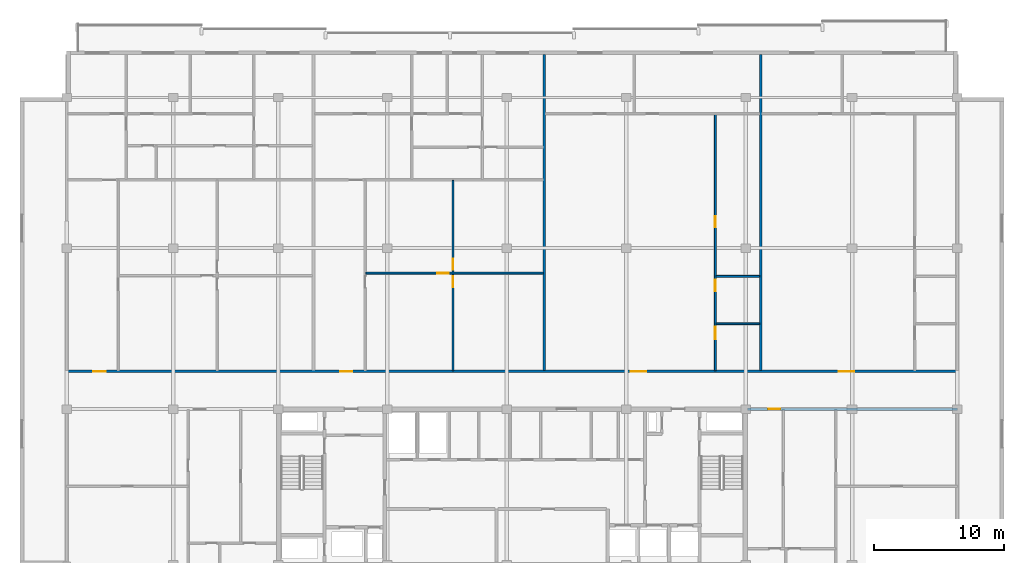
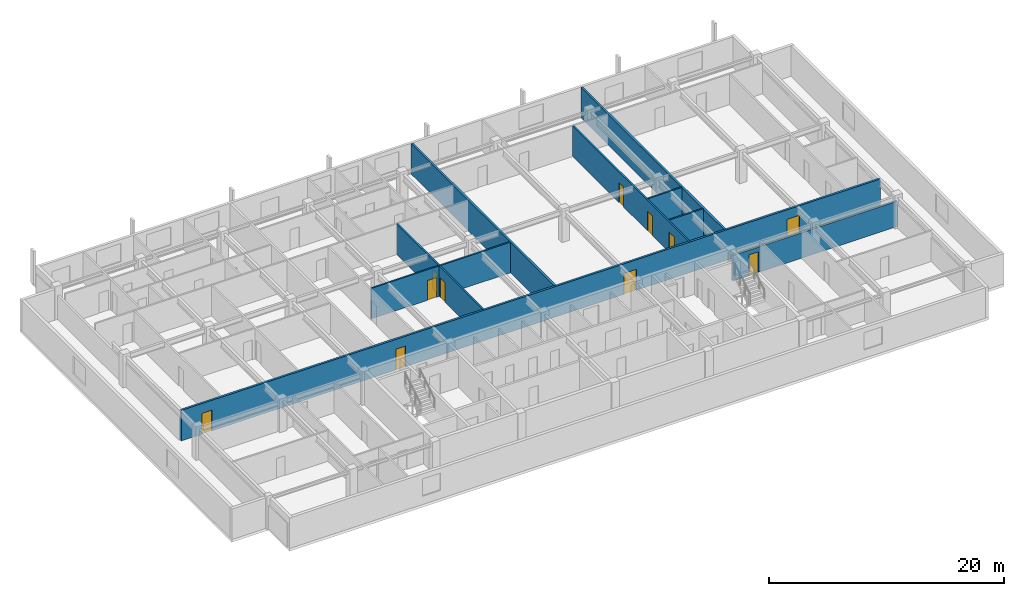
# One storey, part 6 of 11: 11 doors, 9 walls, 11 openings.
"""IFC4 building model written with IfcOpenShell, lengths in metres."""

from ifc_helpers import new_model, si_unit, direction, frame, frame_2d, origin, place, context, subcontext, project, spatial, rectangle, extrude, material, layer, layer_set, type_object, element, fill, save


model = new_model("IFC4")

# Units and contexts
model_context = context("Model", 3, precision=1e-05, world=origin(), true_north=direction((0.0, 1.0)))
body_context = subcontext(model_context, "Body", "Model", "MODEL_VIEW")
ifc_project = project(units=[si_unit("LENGTHUNIT", "METRE"), si_unit("AREAUNIT", "SQUARE_METRE"), si_unit("VOLUMEUNIT", "CUBIC_METRE"), si_unit("PLANEANGLEUNIT", "RADIAN"), si_unit("MASSUNIT", "GRAM", prefix="KILO")], contexts=[model_context])

# Site, building, storey
site_placement = place(None, origin())
site = spatial("IfcSite", under=ifc_project, at=site_placement, CompositionType="ELEMENT")
building_placement = place(site_placement, origin())
building = spatial("IfcBuilding", under=site, at=building_placement, Name="Korimba Cascade Residences", CompositionType="ELEMENT")
storey_placement = place(building_placement, frame((0.0, 0.0, 252.800048828125)))
storey = spatial("IfcBuildingStorey", under=building, at=storey_placement, Name="L73", CompositionType="ELEMENT", Elevation=252.800048828125)

# Wall, opening, door
ifc_material_1 = material(Name="Precast concrete C40/50", Category="concrete")
ifc_layer_1 = layer(ifc_material_1, 0.199951171875)
ifc_layer_set_1 = layer_set([ifc_layer_1], Name="Precast concrete C40/50")
wall_type_1 = type_object("IfcWallType", Name="WAL-IT-200", PredefinedType="PARTITIONING", material=ifc_layer_set_1)
wall_1_placement = place(storey_placement, frame((112.25, 67.199951171875, 0.0), z_axis=(0.0, 0.0, 1.0), x_axis=(1.0, 0.0, 0.0)))
wall_1 = element("IfcWall", 1, at=wall_1_placement, inside=storey, type_object=wall_type_1, Name="L73 Partition Wall WAL-L73-T1-FE-N", PredefinedType="PARTITIONING", context=body_context, shape_type="SweptSolid", body=[
    extrude(rectangle(XDim=16.14990234375, YDim=0.199951171875, at=frame_2d((8.074951171875, 0.0))), origin(), (0.0, 0.0, 1.0), 2.63330078125),
])
opening_1_placement = place(wall_1_placement, frame((1.580078125, 0.0, 0.0)))
opening_1 = element("IfcOpeningElement", 2, at=opening_1_placement, cuts=wall_1, Name="Opening D-UN1", PredefinedType="OPENING", context=body_context, shape_type="SweptSolid", body=[
    extrude(rectangle(XDim=0.949951171875, YDim=2.14990234375, at=frame_2d((0.47509765625, 1.074951171875))), frame((0.0, 0.10986328125, 0.0), z_axis=(0.0, -1.0, 0.0), x_axis=(1.0, 0.0, 0.0)), (0.0, 0.0, 1.0), 0.219970703125),
])
ifc_material_2 = material(Name="Fire-Rated Hardwood Apartment Entrance Door", Category="wood")
door_type_1 = type_object("IfcDoorType", Name="DR-FD60-950", OperationType="NOTDEFINED", PredefinedType="DOOR", material=ifc_material_2)
door_1_placement = place(opening_1_placement, origin())
door_1 = element("IfcDoor", 3, at=door_1_placement, inside=storey, type_object=door_type_1, Name="L73-T1-FE Entrance Door", OperationType="SINGLE_SWING_RIGHT", OverallHeight=2.14990234375, OverallWidth=0.949951171875, PredefinedType="DOOR", context=body_context, shape_type="SweptSolid", body=[
    extrude(rectangle(XDim=0.949951171875, YDim=2.14990234375, at=frame_2d((0.47509765625, 1.074951171875))), frame((0.0, 0.02490234375, 0.0), z_axis=(0.0, -1.0, 0.0), x_axis=(1.0, 0.0, 0.0)), (0.0, 0.0, 1.0), 0.050048828125),
])
fill(opening_1, door_1)

# Walls
for number, where, z_axis, x_axis, name in (
    (4, (96.588623046875, 70.179931640625, 0.0), (0.0, 0.0, 1.0), (0.0, 1.0, 0.0), "L73 Partition Wall WAL-L73-T1-DEM-2"),
    (5, (113.259033203125, 70.179931640625, 0.0), (0.0, 0.0, 1.0), (0.0, 1.0, 0.0), "L73 Partition Wall WAL-L73-T1-DEM-3"),
):
    element("IfcWall", number, at=place(storey_placement, frame(where, z_axis=z_axis, x_axis=x_axis)), inside=storey, type_object=wall_type_1, Name=name, PredefinedType="PARTITIONING", context=body_context, shape_type="SweptSolid", body=[
        extrude(rectangle(XDim=24.320068359375, YDim=0.199951171875, at=frame_2d((12.16015625, 0.0))), origin(), (0.0, 0.0, 1.0), 3.169921875),
    ])

# Wall, openings, doors
wall_2_placement = place(storey_placement, frame((59.800048828125, 70.10009765625, 0.0), z_axis=(0.0, 0.0, 1.0), x_axis=(1.0, 0.0, 0.0)))
wall_2 = element("IfcWall", 6, at=wall_2_placement, inside=storey, type_object=wall_type_1, Name="L73 Partition Wall WAL-L73-T1-CORN", PredefinedType="PARTITIONING", context=body_context, shape_type="SweptSolid", body=[
    extrude(rectangle(XDim=68.599853515625, YDim=0.199951171875, at=frame_2d((34.2998046875, 0.0))), origin(), (0.0, 0.0, 1.0), 3.169921875),
])
opening_2_placement = place(wall_2_placement, frame((2.044921875, 0.0, 0.0)))
opening_2 = element("IfcOpeningElement", 7, at=opening_2_placement, cuts=wall_2, Name="Opening D-UN1", PredefinedType="OPENING", context=body_context, shape_type="SweptSolid", body=[
    extrude(rectangle(XDim=0.949951171875, YDim=2.14990234375, at=frame_2d((0.47509765625, 1.074951171875))), frame((0.0, 0.10986328125, 0.0), z_axis=(0.0, -1.0, 0.0), x_axis=(1.0, 0.0, 0.0)), (0.0, 0.0, 1.0), 0.219970703125),
])
opening_3_placement = place(wall_2_placement, frame((21.05419921875, 0.0, 0.0)))
opening_3 = element("IfcOpeningElement", 8, at=opening_3_placement, cuts=wall_2, Name="Opening D-UN1", PredefinedType="OPENING", context=body_context, shape_type="SweptSolid", body=[
    extrude(rectangle(XDim=0.949951171875, YDim=2.14990234375, at=frame_2d((0.47509765625, 1.074951171875))), frame((0.0, 0.10986328125, 0.0), z_axis=(0.0, -1.0, 0.0), x_axis=(1.0, 0.0, 0.0)), (0.0, 0.0, 1.0), 0.219970703125),
])
opening_4_placement = place(wall_2_placement, frame((43.433837890625, 0.0, 0.0)))
opening_4 = element("IfcOpeningElement", 9, at=opening_4_placement, cuts=wall_2, Name="Opening D-AM1", PredefinedType="OPENING", context=body_context, shape_type="SweptSolid", body=[
    extrude(rectangle(XDim=1.219970703125, YDim=2.179931640625, at=frame_2d((0.60986328125, 1.08984375))), frame((0.0, 0.10986328125, 0.0), z_axis=(0.0, -1.0, 0.0), x_axis=(1.0, 0.0, 0.0)), (0.0, 0.0, 1.0), 0.219970703125),
])
opening_5_placement = place(wall_2_placement, frame((59.45458984375, 0.0, 0.0)))
opening_5 = element("IfcOpeningElement", 10, at=opening_5_placement, cuts=wall_2, Name="Opening D-AM1", PredefinedType="OPENING", context=body_context, shape_type="SweptSolid", body=[
    extrude(rectangle(XDim=1.219970703125, YDim=2.179931640625, at=frame_2d((0.60986328125, 1.08984375))), frame((0.0, 0.10986328125, 0.0), z_axis=(0.0, -1.0, 0.0), x_axis=(1.0, 0.0, 0.0)), (0.0, 0.0, 1.0), 0.219970703125),
])
ifc_material_3 = material(Name="Fire-Rated Glazed Timber Suite Door", Category="wood")
door_type_2 = type_object("IfcDoorType", Name="DR-FD60-1200", OperationType="NOTDEFINED", PredefinedType="DOOR", material=ifc_material_3)
door_2_placement = place(opening_4_placement, origin())
door_2 = element("IfcDoor", 11, at=door_2_placement, inside=storey, type_object=door_type_2, Name="L73-T1-U03 Transfer Reception Foyer Door", OperationType="SINGLE_SWING_RIGHT", OverallHeight=2.179931640625, OverallWidth=1.219970703125, PredefinedType="DOOR", context=body_context, shape_type="SweptSolid", body=[
    extrude(rectangle(XDim=1.219970703125, YDim=2.179931640625, at=frame_2d((0.60986328125, 1.08984375))), frame((0.0, 0.02490234375, 0.0), z_axis=(0.0, -1.0, 0.0), x_axis=(1.0, 0.0, 0.0)), (0.0, 0.0, 1.0), 0.050048828125),
])
fill(opening_4, door_2)
door_3_placement = place(opening_5_placement, origin())
door_3 = element("IfcDoor", 12, at=door_3_placement, inside=storey, type_object=door_type_2, Name="L73-T1-U04 Business Collaboration Office Door", OperationType="SINGLE_SWING_LEFT", OverallHeight=2.179931640625, OverallWidth=1.219970703125, PredefinedType="DOOR", context=body_context, shape_type="SweptSolid", body=[
    extrude(rectangle(XDim=1.219970703125, YDim=2.179931640625, at=frame_2d((0.60986328125, 1.08984375))), frame((0.0, 0.02490234375, 0.0), z_axis=(0.0, -1.0, 0.0), x_axis=(1.0, 0.0, 0.0)), (0.0, 0.0, 1.0), 0.050048828125),
])
fill(opening_5, door_3)
door_4_placement = place(opening_2_placement, origin())
door_4 = element("IfcDoor", 13, at=door_4_placement, inside=storey, type_object=door_type_1, Name="Unit L73-T1-U01 Entrance Door", OperationType="SINGLE_SWING_RIGHT", OverallHeight=2.14990234375, OverallWidth=0.949951171875, PredefinedType="DOOR", context=body_context, shape_type="SweptSolid", body=[
    extrude(rectangle(XDim=0.949951171875, YDim=2.14990234375, at=frame_2d((0.47509765625, 1.074951171875))), frame((0.0, 0.02490234375, 0.0), z_axis=(0.0, -1.0, 0.0), x_axis=(1.0, 0.0, 0.0)), (0.0, 0.0, 1.0), 0.050048828125),
])
fill(opening_2, door_4)
door_5_placement = place(opening_3_placement, origin())
door_5 = element("IfcDoor", 14, at=door_5_placement, inside=storey, type_object=door_type_1, Name="Unit L73-T1-U02 Entrance Door", OperationType="SINGLE_SWING_LEFT", OverallHeight=2.14990234375, OverallWidth=0.949951171875, PredefinedType="DOOR", context=body_context, shape_type="SweptSolid", body=[
    extrude(rectangle(XDim=0.949951171875, YDim=2.14990234375, at=frame_2d((0.47509765625, 1.074951171875))), frame((0.0, 0.02490234375, 0.0), z_axis=(0.0, -1.0, 0.0), x_axis=(1.0, 0.0, 0.0)), (0.0, 0.0, 1.0), 0.050048828125),
])
fill(opening_3, door_5)

ifc_material_4 = material(Name="Insulated Acoustic Stud Partition", Category="gypsum")
ifc_layer_2 = layer(ifc_material_4, 0.14990234375)
ifc_layer_set_2 = layer_set([ifc_layer_2], Name="Insulated Acoustic Stud Partition")
wall_type_2 = type_object("IfcWallType", Name="WAL-PART-150", PredefinedType="PARTITIONING", material=ifc_layer_set_2)
wall_3_placement = place(storey_placement, frame((89.5537109375, 70.159912109375, 0.0), z_axis=(0.0, 0.0, 1.0), x_axis=(0.0, 1.0, 0.0)))
wall_3 = element("IfcWall", 15, at=wall_3_placement, inside=storey, type_object=wall_type_2, Name="L73 Partition Wall WAL-L73-T1-U02-FMV", PredefinedType="PARTITIONING", context=body_context, shape_type="SweptSolid", body=[
    extrude(rectangle(XDim=14.650146484375, YDim=0.14990234375, at=frame_2d((7.3251953125, 0.0))), origin(), (0.0, 0.0, 1.0), 3.169921875),
])
opening_6_placement = place(wall_3_placement, frame((6.4150390625, 0.0, 0.0)))
opening_6 = element("IfcOpeningElement", 16, at=opening_6_placement, cuts=wall_3, Name="Opening D-BT1", PredefinedType="OPENING", context=body_context, shape_type="SweptSolid", body=[
    extrude(rectangle(XDim=0.840087890625, YDim=2.0400390625, at=frame_2d((0.419921875, 1.02001953125))), frame((0.0, 0.0849609375, 0.0), z_axis=(0.0, -1.0, 0.0), x_axis=(1.0, 0.0, 0.0)), (0.0, 0.0, 1.0), 0.169921875),
])
opening_7_placement = place(wall_3_placement, frame((7.7548828125, 0.0, 0.0)))
opening_7 = element("IfcOpeningElement", 17, at=opening_7_placement, cuts=wall_3, Name="Opening D-IN2", PredefinedType="OPENING", context=body_context, shape_type="SweptSolid", body=[
    extrude(rectangle(XDim=0.8798828125, YDim=2.06005859375, at=frame_2d((0.43994140625, 1.030029296875))), frame((0.0, 0.0849609375, 0.0), z_axis=(0.0, -1.0, 0.0), x_axis=(1.0, 0.0, 0.0)), (0.0, 0.0, 1.0), 0.169921875),
])
ifc_material_5 = material(Name="Moisture-Resistant Bathroom Timber Door", Category="wood")
door_type_3 = type_object("IfcDoorType", Name="DR-INT-850", OperationType="NOTDEFINED", PredefinedType="DOOR", material=ifc_material_5)
door_6_placement = place(opening_6_placement, origin())
door_6 = element("IfcDoor", 18, at=door_6_placement, inside=storey, type_object=door_type_3, Name="L73-T1-U02 Wardrobe Door", OperationType="SINGLE_SWING_RIGHT", OverallHeight=2.0400390625, OverallWidth=0.840087890625, PredefinedType="DOOR", context=body_context, shape_type="SweptSolid", body=[
    extrude(rectangle(XDim=0.840087890625, YDim=2.0400390625, at=frame_2d((0.419921875, 1.02001953125))), frame((0.0, 0.02490234375, 0.0), z_axis=(0.0, -1.0, 0.0), x_axis=(1.0, 0.0, 0.0)), (0.0, 0.0, 1.0), 0.050048828125),
])
fill(opening_6, door_6)
ifc_material_6 = material(Name="Acoustic Timber Bedroom Door", Category="wood")
door_type_4 = type_object("IfcDoorType", Name="DR-INT-880", OperationType="NOTDEFINED", PredefinedType="DOOR", material=ifc_material_6)
door_7_placement = place(opening_7_placement, origin())
door_7 = element("IfcDoor", 19, at=door_7_placement, inside=storey, type_object=door_type_4, Name="L73-T1-U02 Music Lounge Door", OperationType="SINGLE_SWING_LEFT", OverallHeight=2.06005859375, OverallWidth=0.8798828125, PredefinedType="DOOR", context=body_context, shape_type="SweptSolid", body=[
    extrude(rectangle(XDim=0.8798828125, YDim=2.06005859375, at=frame_2d((0.43994140625, 1.030029296875))), frame((0.0, 0.02490234375, 0.0), z_axis=(0.0, -1.0, 0.0), x_axis=(1.0, 0.0, 0.0)), (0.0, 0.0, 1.0), 0.050048828125),
])
fill(opening_7, door_7)

# Wall, opening, door
wall_4_placement = place(storey_placement, frame((82.839111328125, 77.6650390625, 0.0), z_axis=(0.0, 0.0, 1.0), x_axis=(1.0, 0.0, 0.0)))
wall_4 = element("IfcWall", 20, at=wall_4_placement, inside=storey, type_object=wall_type_2, Name="L73 Partition Wall WAL-L73-T1-U02-FMH", PredefinedType="PARTITIONING", context=body_context, shape_type="SweptSolid", body=[
    extrude(rectangle(XDim=13.66943359375, YDim=0.14990234375, at=frame_2d((6.834716796875, 0.0))), origin(), (0.0, 0.0, 1.0), 3.169921875),
])
opening_8_placement = place(wall_4_placement, frame((5.509521484375, 0.0, 0.0)))
opening_8 = element("IfcOpeningElement", 21, at=opening_8_placement, cuts=wall_4, Name="Opening D-IN2", PredefinedType="OPENING", context=body_context, shape_type="SweptSolid", body=[
    extrude(rectangle(XDim=0.8798828125, YDim=2.06005859375, at=frame_2d((0.43994140625, 1.030029296875))), frame((0.0, 0.0849609375, 0.0), z_axis=(0.0, -1.0, 0.0), x_axis=(1.0, 0.0, 0.0)), (0.0, 0.0, 1.0), 0.169921875),
])
door_8_placement = place(opening_8_placement, origin())
door_8 = element("IfcDoor", 22, at=door_8_placement, inside=storey, type_object=door_type_4, Name="L73-T1-U02 Library Salon Door", OperationType="SINGLE_SWING_RIGHT", OverallHeight=2.06005859375, OverallWidth=0.8798828125, PredefinedType="DOOR", context=body_context, shape_type="SweptSolid", body=[
    extrude(rectangle(XDim=0.8798828125, YDim=2.06005859375, at=frame_2d((0.43994140625, 1.030029296875))), frame((0.0, 0.02490234375, 0.0), z_axis=(0.0, -1.0, 0.0), x_axis=(1.0, 0.0, 0.0)), (0.0, 0.0, 1.0), 0.050048828125),
])
fill(opening_8, door_8)

# Walls
for number, where, z_axis, x_axis, name in (
    (23, (109.819091796875, 73.77001953125, 0.0), (0.0, 0.0, 1.0), (1.0, 0.0, 0.0), "L73 Partition Wall WAL-L73-T1-U03-WCH"),
    (24, (109.819091796875, 77.419921875, 0.0), (0.0, 0.0, 1.0), (1.0, 0.0, 0.0), "L73 Partition Wall WAL-L73-T1-U03-WCH2"),
):
    element("IfcWall", number, at=place(storey_placement, frame(where, z_axis=z_axis, x_axis=x_axis)), inside=storey, type_object=wall_type_2, Name=name, PredefinedType="PARTITIONING", context=body_context, shape_type="SweptSolid", body=[
        extrude(rectangle(XDim=3.360107421875, YDim=0.14990234375, at=frame_2d((1.68017578125, 0.0))), origin(), (0.0, 0.0, 1.0), 3.169921875),
    ])

# Wall, openings, doors
wall_5_placement = place(storey_placement, frame((109.759033203125, 70.159912109375, 0.0), z_axis=(0.0, 0.0, 1.0), x_axis=(0.0, 1.0, 0.0)))
wall_5 = element("IfcWall", 25, at=wall_5_placement, inside=storey, type_object=wall_type_2, Name="L73 Partition Wall WAL-L73-T1-U03-WCV", PredefinedType="PARTITIONING", context=body_context, shape_type="SweptSolid", body=[
    extrude(rectangle(XDim=19.72998046875, YDim=0.14990234375, at=frame_2d((9.864990234375, 0.0))), origin(), (0.0, 0.0, 1.0), 3.169921875),
])
opening_9_placement = place(wall_5_placement, frame((2.406005859375, 0.0, 0.0)))
opening_9 = element("IfcOpeningElement", 26, at=opening_9_placement, cuts=wall_5, Name="Opening D-AC1", PredefinedType="OPENING", context=body_context, shape_type="SweptSolid", body=[
    extrude(rectangle(XDim=0.9599609375, YDim=2.10009765625, at=frame_2d((0.47998046875, 1.050048828125))), frame((0.0, 0.0849609375, 0.0), z_axis=(0.0, -1.0, 0.0), x_axis=(1.0, 0.0, 0.0)), (0.0, 0.0, 1.0), 0.169921875),
])
opening_10_placement = place(wall_5_placement, frame((6.132568359375, 0.0, 0.0)))
opening_10 = element("IfcOpeningElement", 27, at=opening_10_placement, cuts=wall_5, Name="Opening D-IN2", PredefinedType="OPENING", context=body_context, shape_type="SweptSolid", body=[
    extrude(rectangle(XDim=0.8798828125, YDim=2.06005859375, at=frame_2d((0.43994140625, 1.030029296875))), frame((0.0, 0.0849609375, 0.0), z_axis=(0.0, -1.0, 0.0), x_axis=(1.0, 0.0, 0.0)), (0.0, 0.0, 1.0), 0.169921875),
])
opening_11_placement = place(wall_5_placement, frame((11.034423828125, 0.0, 0.0)))
opening_11 = element("IfcOpeningElement", 28, at=opening_11_placement, cuts=wall_5, Name="Opening D-BT1", PredefinedType="OPENING", context=body_context, shape_type="SweptSolid", body=[
    extrude(rectangle(XDim=0.840087890625, YDim=2.0400390625, at=frame_2d((0.419921875, 1.02001953125))), frame((0.0, 0.0849609375, 0.0), z_axis=(0.0, -1.0, 0.0), x_axis=(1.0, 0.0, 0.0)), (0.0, 0.0, 1.0), 0.169921875),
])
ifc_material_7 = material(Name="Accessible Acoustic Timber WC Door", Category="wood")
door_type_5 = type_object("IfcDoorType", Name="DR-ACC-950", OperationType="NOTDEFINED", PredefinedType="DOOR", material=ifc_material_7)
door_9_placement = place(opening_9_placement, origin())
door_9 = element("IfcDoor", 29, at=door_9_placement, inside=storey, type_object=door_type_5, Name="L73-T1-U03 Accessible WC Door", OperationType="SINGLE_SWING_RIGHT", OverallHeight=2.10009765625, OverallWidth=0.9599609375, PredefinedType="DOOR", context=body_context, shape_type="SweptSolid", body=[
    extrude(rectangle(XDim=0.9599609375, YDim=2.10009765625, at=frame_2d((0.47998046875, 1.050048828125))), frame((0.0, 0.02490234375, 0.0), z_axis=(0.0, -1.0, 0.0), x_axis=(1.0, 0.0, 0.0)), (0.0, 0.0, 1.0), 0.050048828125),
])
fill(opening_9, door_9)
door_10_placement = place(opening_11_placement, origin())
door_10 = element("IfcDoor", 30, at=door_10_placement, inside=storey, type_object=door_type_3, Name="L73-T1-U03 Suite Store Door", OperationType="SINGLE_SWING_RIGHT", OverallHeight=2.0400390625, OverallWidth=0.840087890625, PredefinedType="DOOR", context=body_context, shape_type="SweptSolid", body=[
    extrude(rectangle(XDim=0.840087890625, YDim=2.0400390625, at=frame_2d((0.419921875, 1.02001953125))), frame((0.0, 0.02490234375, 0.0), z_axis=(0.0, -1.0, 0.0), x_axis=(1.0, 0.0, 0.0)), (0.0, 0.0, 1.0), 0.050048828125),
])
fill(opening_11, door_10)
door_11_placement = place(opening_10_placement, origin())
door_11 = element("IfcDoor", 31, at=door_11_placement, inside=storey, type_object=door_type_4, Name="L73-T1-U03 Restroom WC Door", OperationType="SINGLE_SWING_LEFT", OverallHeight=2.06005859375, OverallWidth=0.8798828125, PredefinedType="DOOR", context=body_context, shape_type="SweptSolid", body=[
    extrude(rectangle(XDim=0.8798828125, YDim=2.06005859375, at=frame_2d((0.43994140625, 1.030029296875))), frame((0.0, 0.02490234375, 0.0), z_axis=(0.0, -1.0, 0.0), x_axis=(1.0, 0.0, 0.0)), (0.0, 0.0, 1.0), 0.050048828125),
])
fill(opening_10, door_11)

save(model, "model.ifc")
